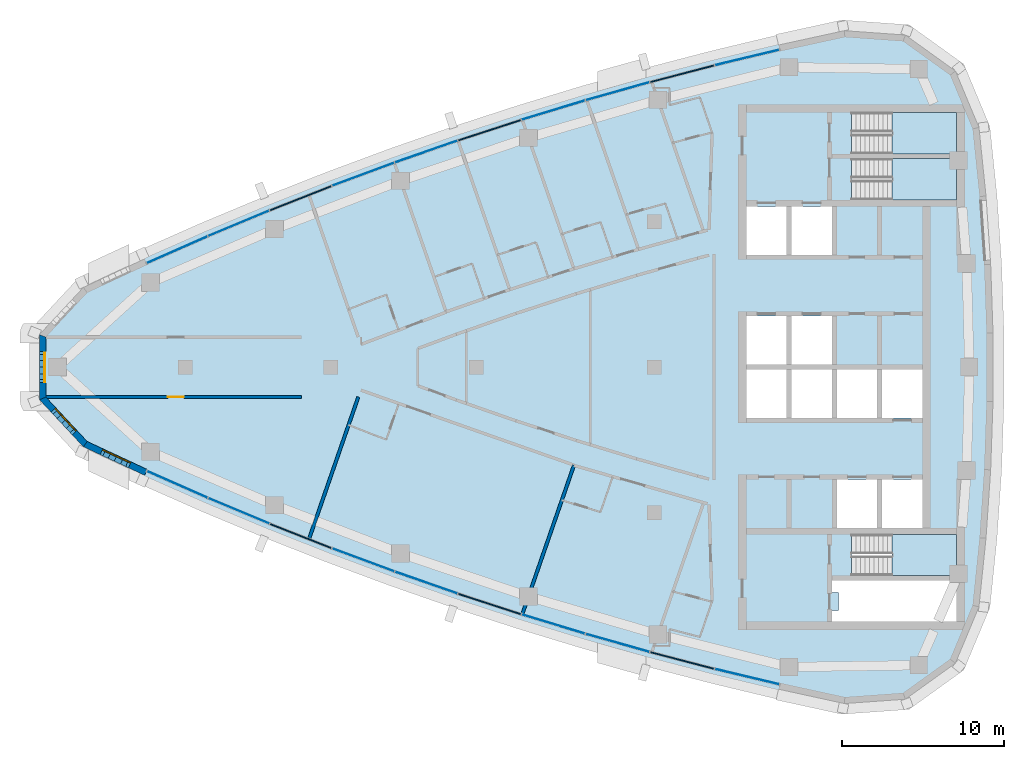
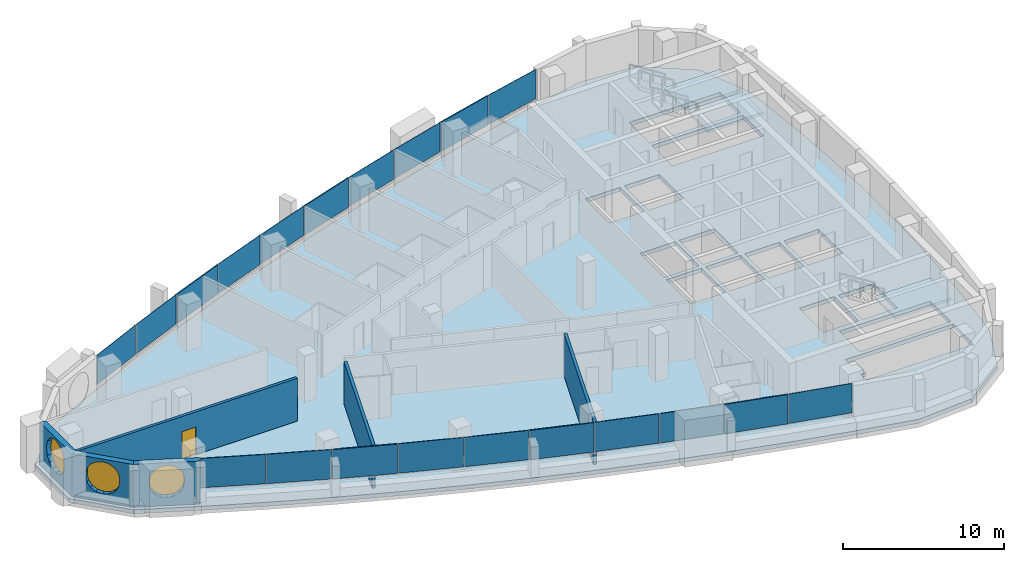
# One storey, part 6 of 14: 20 plates, 6 walls, 4 slabs, 3 windows, 1 door, 5 openings, 13 elements without a shape of their own.
"""IFC4 building model written with IfcOpenShell, lengths in metres."""

import ifcopenshell
import ifcopenshell.guid

model = None  # the IFC model being written
_history = None  # IfcOwnerHistory: only IFC2X3 demands one
_inside = {}  # id of a spatial element -> (the spatial element, [elements in it])
_under = {}  # id of a project, library or spatial element -> (it, [spatial elements below it])
_declared = {}  # id of a project -> (the project, [libraries it declares])
_typed = {}  # id of a type object -> (the type object, [elements of that type])
_made_of = {}  # id of a material, layer set ... -> (it, [elements and type objects made of it])


def new_model(schema):
    """Start an empty IFC model of exactly this schema.

    Asked for "IFC4X3", IfcOpenShell would pick the latest addendum, in which some entities
    have other attributes; the version numbers below select the first issue.
    IFC2X3 requires an IfcOwnerHistory on every rooted entity: one is made here for all.
    """
    global model, _history
    if schema == "IFC4X3":
        model = ifcopenshell.file(schema_version=(4, 3, 0, 0))
    else:
        model = ifcopenshell.file(schema=schema)
    _inside.clear()
    _under.clear()
    _declared.clear()
    _typed.clear()
    _made_of.clear()
    _history = None
    if model.schema == "IFC2X3":
        org = make("IfcOrganization", Name="unknown")
        user = make(
            "IfcPersonAndOrganization",
            ThePerson=make("IfcPerson", FamilyName="unknown"),
            TheOrganization=org,
        )
        app = make(
            "IfcApplication",
            ApplicationDeveloper=org,
            Version="unknown",
            ApplicationFullName="unknown",
            ApplicationIdentifier="unknown",
        )
        _history = make(
            "IfcOwnerHistory",
            OwningUser=user,
            OwningApplication=app,
            ChangeAction="ADDED",
            CreationDate=0,
        )
    return model


def make(cls, **values):
    """One entity of the class cls with the attributes given. An attribute that is None is left unset."""
    return model.create_entity(
        cls, **{name: value for name, value in values.items() if value is not None}
    )


def rooted(cls, **values):
    """An entity with a GlobalId (a new one), such as an element, a storey or a relation."""
    return make(cls, GlobalId=ifcopenshell.guid.new(), OwnerHistory=_history, **values)


def si_unit(unit_type, name, prefix=None):
    """IfcSIUnit, for example si_unit("LENGTHUNIT", "METRE", prefix="MILLI")."""
    return make("IfcSIUnit", UnitType=unit_type, Prefix=prefix, Name=name)


def assignment(units):
    """IfcUnitAssignment: the units of a project."""
    return None if units is None else make("IfcUnitAssignment", Units=units)


def point(xyz):
    """IfcCartesianPoint."""
    return None if xyz is None else make("IfcCartesianPoint", Coordinates=xyz)


def direction(xyz):
    """IfcDirection."""
    return None if xyz is None else make("IfcDirection", DirectionRatios=xyz)


def frame(location, z_axis=None, x_axis=None):
    """IfcAxis2Placement3D, a coordinate frame: its origin and axes. An axis left out is left unset."""
    return make(
        "IfcAxis2Placement3D",
        Location=point(location),
        Axis=direction(z_axis),
        RefDirection=direction(x_axis),
    )


def frame_2d(location, x_axis=None):
    """IfcAxis2Placement2D, a coordinate frame in the plane: its origin and x axis."""
    return make(
        "IfcAxis2Placement2D", Location=point(location), RefDirection=direction(x_axis)
    )


def origin():
    """The frame at (0, 0, 0) with its axes left unset."""
    return frame((0.0, 0.0, 0.0))


def origin_2d():
    """The frame at (0, 0) in the plane with its x axis left unset."""
    return frame_2d((0.0, 0.0))


def place(relative_to, where):
    """IfcLocalPlacement: puts the frame where relative to a parent placement (None: the world)."""
    return make(
        "IfcLocalPlacement", PlacementRelTo=relative_to, RelativePlacement=where
    )


def context(
    kind, dimensions, precision=None, world=None, true_north=None, identifier=None
):
    """IfcGeometricRepresentationContext, for example the 3D "Model" context."""
    return make(
        "IfcGeometricRepresentationContext",
        ContextIdentifier=identifier,
        ContextType=kind,
        CoordinateSpaceDimension=dimensions,
        Precision=precision,
        WorldCoordinateSystem=world,
        TrueNorth=true_north,
    )


def subcontext(parent, identifier, kind, view, scale=None):
    """IfcGeometricRepresentationSubContext, for example "Body" below "Model"."""
    return make(
        "IfcGeometricRepresentationSubContext",
        ContextIdentifier=identifier,
        ContextType=kind,
        ParentContext=parent,
        TargetScale=scale,
        TargetView=view,
    )


def project(units=None, contexts=None):
    """IfcProject with its units and contexts."""
    return rooted(
        "IfcProject",
        Name="project",
        RepresentationContexts=contexts,
        UnitsInContext=assignment(units),
    )


def spatial(cls, under=None, at=None, **own):
    """A site, building, storey or space (cls), placed at a placement, below another one or the project."""
    s = rooted(cls, ObjectPlacement=at, **own)
    if under is not None:
        _under.setdefault(under.id(), (under, []))[1].append(s)
    return s


def polyline(points):
    """IfcPolyline through the points."""
    return make("IfcPolyline", Points=[point(p) for p in points])


def profile(cls, at=None, kind="AREA", **sizes):
    """A parametric profile (cls). Its sizes go by their IFC names, for example OverallWidth=200.0."""
    return make(cls, ProfileType=kind, Position=at, **sizes)


def rectangle(**sizes):
    """IfcRectangleProfileDef."""
    return profile("IfcRectangleProfileDef", **sizes)


def outline(outer, holes=None, kind="AREA"):
    """IfcArbitraryClosedProfileDef: a profile drawn as a closed curve; with holes, ...WithVoids."""
    if holes is None:
        return make("IfcArbitraryClosedProfileDef", ProfileType=kind, OuterCurve=outer)
    return make(
        "IfcArbitraryProfileDefWithVoids",
        ProfileType=kind,
        OuterCurve=outer,
        InnerCurves=holes,
    )


def extrude(swept, where, along, depth):
    """IfcExtrudedAreaSolid: the profile swept, set in the frame where, extruded along a direction by depth."""
    return make(
        "IfcExtrudedAreaSolid",
        SweptArea=swept,
        Position=where,
        ExtrudedDirection=direction(along),
        Depth=depth,
    )


def shape(context_of_items, identifier, shape_type, items):
    """IfcShapeRepresentation: the items that make up one representation, for example the "Body"."""
    return make(
        "IfcShapeRepresentation",
        ContextOfItems=context_of_items,
        RepresentationIdentifier=identifier,
        RepresentationType=shape_type,
        Items=items,
    )


def material(Name=None, Category=None):
    """IfcMaterial."""
    return make("IfcMaterial", Name=Name, Category=Category)


def layer(
    of_material, thickness, ventilated=None, Name=None, Category=None, Priority=None
):
    """IfcMaterialLayer: one layer of a wall or slab, of a material (None: an air gap)."""
    return make(
        "IfcMaterialLayer",
        Material=of_material,
        LayerThickness=thickness,
        IsVentilated=ventilated,
        Name=Name,
        Category=Category,
        Priority=Priority,
    )


def layer_set(layers, Name=None):
    """IfcMaterialLayerSet."""
    return make("IfcMaterialLayerSet", MaterialLayers=layers, LayerSetName=Name)


def made_of(thing, what):
    """Note that an element or type object is made of a material, layer set ...; save() writes the relation."""
    if what is not None:
        _made_of.setdefault(what.id(), (what, []))[1].append(thing)
    return thing


def type_object(cls, material=None, **own):
    """A type object (cls), such as IfcWallType, which elements share."""
    return made_of(rooted(cls, **own), material)


def element(
    cls,
    number,
    at=None,
    inside=None,
    cuts=None,
    type_object=None,
    material=None,
    context=None,
    identifier="Body",
    shape_type=None,
    held_by="IfcProductDefinitionShape",
    body=None,
    shapes=None,
    **own,
):
    """One element of the class cls, such as IfcWall. Its Tag is "e" and its number.

    at: its placement. inside: the storey or other place that contains it. cuts: it is an
    opening in that element (IfcRelVoidsElement). A single representation is given by context,
    identifier, shape_type and body (its items); several are given by shapes. held_by: the class
    of the entity that holds the representations. save() writes the other relations.
    """
    e = rooted(cls, Tag="e%d" % number, ObjectPlacement=at, **own)
    if body is not None:
        shapes = [shape(context, identifier, shape_type, body)]
    if shapes is not None:
        e.Representation = make(held_by, Representations=shapes)
    if inside is not None:
        _inside.setdefault(inside.id(), (inside, []))[1].append(e)
    if cuts is not None:
        rooted(
            "IfcRelVoidsElement", RelatingBuildingElement=cuts, RelatedOpeningElement=e
        )
    if type_object is not None:
        _typed.setdefault(type_object.id(), (type_object, []))[1].append(e)
    return made_of(e, material)


def fill(opening, filler):
    """IfcRelFillsElement: the door or window that sits in an opening."""
    return rooted(
        "IfcRelFillsElement",
        RelatingOpeningElement=opening,
        RelatedBuildingElement=filler,
    )


def aggregate(whole, parts):
    """IfcRelAggregates: a whole, such as a stair, and the parts it consists of."""
    return rooted("IfcRelAggregates", RelatingObject=whole, RelatedObjects=parts)


def save(model, path):
    """Write the relations noted so far, then the file.

    IfcRelAggregates (storeys below a building ...), IfcRelContainedInSpatialStructure (elements
    in a storey), IfcRelDefinesByType, IfcRelAssociatesMaterial and IfcRelDeclares: one each for
    every whole, place, type object, material and project.
    """
    for whole, parts in _under.values():
        aggregate(whole, parts)
    for where, things in _inside.values():
        rooted(
            "IfcRelContainedInSpatialStructure",
            RelatedElements=things,
            RelatingStructure=where,
        )
    for kind, things in _typed.values():
        rooted("IfcRelDefinesByType", RelatedObjects=things, RelatingType=kind)
    for what, things in _made_of.values():
        rooted("IfcRelAssociatesMaterial", RelatedObjects=things, RelatingMaterial=what)
    for by, libraries in _declared.values():
        rooted("IfcRelDeclares", RelatingContext=by, RelatedDefinitions=libraries)
    model.write(path)


model = new_model("IFC4")

# Units and contexts
model_context = context("Model", 3, precision=1e-05, world=origin(), true_north=direction((0.0, 1.0)))
body_context = subcontext(model_context, "Body", "Model", "MODEL_VIEW")
ifc_project = project(units=[si_unit("LENGTHUNIT", "METRE"), si_unit("AREAUNIT", "SQUARE_METRE"), si_unit("VOLUMEUNIT", "CUBIC_METRE"), si_unit("PLANEANGLEUNIT", "RADIAN"), si_unit("MASSUNIT", "GRAM", prefix="KILO")], contexts=[model_context])

# Site, building, storey
site_placement = place(None, origin())
site = spatial("IfcSite", under=ifc_project, at=site_placement, CompositionType="ELEMENT")
building_placement = place(site_placement, origin())
building = spatial("IfcBuilding", under=site, at=building_placement, Name="Ostrand Prow Hotel Tower", CompositionType="ELEMENT")
storey_placement = place(building_placement, frame((0.0, 0.0, 285.64990234375)))
storey = spatial("IfcBuildingStorey", under=building, at=storey_placement, Name="L72", CompositionType="ELEMENT", Elevation=285.64990234375)

# Curtain wall, plates
ifc_material_1 = material(Name="Insulated glass in bronze anodised frame", Category="glass")
ifc_layer_1 = layer(ifc_material_1, 0.199951171875)
ifc_layer_set_1 = layer_set([ifc_layer_1], Name="Insulated glass in bronze anodised frame")
curtain_wall_type = type_object("IfcCurtainWallType", Name="Strip curtain wall, fritted glass over bronze spandrel", PredefinedType="NOTDEFINED", material=ifc_layer_set_1)
curtain_wall_1_placement = place(storey_placement, origin())
curtain_wall_1 = element("IfcCurtainWall", 1, at=curtain_wall_1_placement, inside=storey, type_object=curtain_wall_type, Name="CW1 run CWS1", PredefinedType="NOTDEFINED")
ifc_material_2 = material(Name="Ceramic-fritted glass", Category="glass")
ifc_layer_2 = layer(ifc_material_2, 0.031982421875)
ifc_layer_set_2 = layer_set([ifc_layer_2], Name="Ceramic-fritted glass")
plate_type_1 = type_object("IfcPlateType", Name="Dot-fritted ceramic glass unit 32 mm", PredefinedType="CURTAIN_PANEL", material=ifc_layer_set_2)
plate_1_placement = place(storey_placement, frame((15.493408203125, -7.259765625, 1.02001953125), z_axis=(0.0, 0.0, 1.0), x_axis=(0.914785615941, -0.403939694592, 0.0)))
plate_1 = element("IfcPlate", 2, at=plate_1_placement, type_object=plate_type_1, Name="CW1 PN-D panel 1.2", PredefinedType="CURTAIN_PANEL", context=body_context, shape_type="SweptSolid", body=[
    extrude(rectangle(XDim=4.079833984375, YDim=0.031982421875, at=origin_2d()), origin(), (0.0, 0.0, 1.0), 2.22998046875),
])
plate_2_placement = place(storey_placement, frame((19.297119140625, -8.893798828125, 1.02001953125), z_axis=(0.0, 0.0, 1.0), x_axis=(0.922719840955, -0.385471263659, 0.0)))
plate_2 = element("IfcPlate", 3, at=plate_2_placement, type_object=plate_type_1, Name="CW1 PN-D panel 2.2", PredefinedType="CURTAIN_PANEL", context=body_context, shape_type="SweptSolid", body=[
    extrude(rectangle(XDim=4.079833984375, YDim=0.031982421875, at=origin_2d()), origin(), (0.0, 0.0, 1.0), 2.22998046875),
])
aggregate(curtain_wall_1, [plate_1, plate_2])

# Curtain wall, plate
curtain_wall_2_placement = place(storey_placement, origin())
curtain_wall_2 = element("IfcCurtainWall", 4, at=curtain_wall_2_placement, inside=storey, type_object=curtain_wall_type, Name="CW1 run CWS2", PredefinedType="NOTDEFINED")
plate_3_placement = place(storey_placement, frame((26.99853515625, -11.930908203125, 1.02001953125), z_axis=(0.0, 0.0, 1.0), x_axis=(0.937468017947, -0.348071422738, 0.0)))
plate_3 = element("IfcPlate", 5, at=plate_3_placement, type_object=plate_type_1, Name="CW1 PN-D panel 2.2", PredefinedType="CURTAIN_PANEL", context=body_context, shape_type="SweptSolid", body=[
    extrude(rectangle(XDim=4.079833984375, YDim=0.031982421875, at=origin_2d()), origin(), (0.0, 0.0, 1.0), 2.22998046875),
])

curtain_wall_3_placement = place(storey_placement, origin())
curtain_wall_3 = element("IfcCurtainWall", 6, at=curtain_wall_3_placement, inside=storey, type_object=curtain_wall_type, Name="CW1 run CWS3", PredefinedType="NOTDEFINED")
plate_4_placement = place(storey_placement, frame((30.8935546875, -13.33251953125, 1.02001953125), z_axis=(0.0, 0.0, 1.0), x_axis=(0.944274730614, -0.329158370885, 0.0)))
plate_4 = element("IfcPlate", 7, at=plate_4_placement, type_object=plate_type_1, Name="CW1 PN-D panel 1.2", PredefinedType="CURTAIN_PANEL", context=body_context, shape_type="SweptSolid", body=[
    extrude(rectangle(XDim=4.079833984375, YDim=0.031982421875, at=origin_2d()), origin(), (0.0, 0.0, 1.0), 2.22998046875),
])

# Curtain wall, plates
curtain_wall_4_placement = place(storey_placement, origin())
curtain_wall_4 = element("IfcCurtainWall", 8, at=curtain_wall_4_placement, inside=storey, type_object=curtain_wall_type, Name="CW1 run CWS4", PredefinedType="NOTDEFINED")
plate_5_placement = place(storey_placement, frame((38.76416015625, -15.89990234375, 1.02001953125), z_axis=(0.0, 0.0, 1.0), x_axis=(0.956742015769, -0.290937648411, 0.0)))
plate_5 = element("IfcPlate", 9, at=plate_5_placement, type_object=plate_type_1, Name="CW1 PN-D panel 1.2", PredefinedType="CURTAIN_PANEL", context=body_context, shape_type="SweptSolid", body=[
    extrude(rectangle(XDim=4.079833984375, YDim=0.031982421875, at=origin_2d()), origin(), (0.0, 0.0, 1.0), 2.22998046875),
])
plate_6_placement = place(storey_placement, frame((42.736572265625, -17.064453125, 1.02001953125), z_axis=(0.0, 0.0, 1.0), x_axis=(0.962396468548, -0.271648738865, 0.0)))
plate_6 = element("IfcPlate", 10, at=plate_6_placement, type_object=plate_type_1, Name="CW1 PN-D panel 2.2", PredefinedType="CURTAIN_PANEL", context=body_context, shape_type="SweptSolid", body=[
    extrude(rectangle(XDim=4.079833984375, YDim=0.031982421875, at=origin_2d()), origin(), (0.0, 0.0, 1.0), 2.22998046875),
])
aggregate(curtain_wall_4, [plate_5, plate_6])

# Curtain wall, plate
curtain_wall_5_placement = place(storey_placement, origin())
curtain_wall_5 = element("IfcCurtainWall", 11, at=curtain_wall_5_placement, inside=storey, type_object=curtain_wall_type, Name="CW1 run CWS5", PredefinedType="NOTDEFINED")
plate_7_placement = place(storey_placement, frame((50.74755859375, -19.152587890625, 1.02001953125), z_axis=(0.0, 0.0, 1.0), x_axis=(0.972537533869, -0.232746096028, 0.0)))
plate_7 = element("IfcPlate", 12, at=plate_7_placement, type_object=plate_type_1, Name="CW1 PN-D panel 2.2", PredefinedType="CURTAIN_PANEL", context=body_context, shape_type="SweptSolid", body=[
    extrude(rectangle(XDim=4.079833984375, YDim=0.031982421875, at=origin_2d()), origin(), (0.0, 0.0, 1.0), 2.22998046875),
])

curtain_wall_6_placement = place(storey_placement, origin())
curtain_wall_6 = element("IfcCurtainWall", 13, at=curtain_wall_6_placement, inside=storey, type_object=curtain_wall_type, Name="CW1 run CWN1", PredefinedType="NOTDEFINED")
plate_8_placement = place(storey_placement, frame((50.74755859375, 19.152587890625, 1.02001953125), z_axis=(0.0, 0.0, 1.0), x_axis=(-0.972537533869, -0.232746096028, 0.0)))
plate_8 = element("IfcPlate", 14, at=plate_8_placement, type_object=plate_type_1, Name="CW1 PN-D panel 1.2", PredefinedType="CURTAIN_PANEL", context=body_context, shape_type="SweptSolid", body=[
    extrude(rectangle(XDim=4.079833984375, YDim=0.031982421875, at=origin_2d()), origin(), (0.0, 0.0, 1.0), 2.22998046875),
])

# Curtain wall, plates
curtain_wall_7_placement = place(storey_placement, origin())
curtain_wall_7 = element("IfcCurtainWall", 15, at=curtain_wall_7_placement, inside=storey, type_object=curtain_wall_type, Name="CW1 run CWN2", PredefinedType="NOTDEFINED")
plate_9_placement = place(storey_placement, frame((42.736572265625, 17.064453125, 1.02001953125), z_axis=(0.0, 0.0, 1.0), x_axis=(-0.962396468548, -0.271648738865, 0.0)))
plate_9 = element("IfcPlate", 16, at=plate_9_placement, type_object=plate_type_1, Name="CW1 PN-D panel 1.2", PredefinedType="CURTAIN_PANEL", context=body_context, shape_type="SweptSolid", body=[
    extrude(rectangle(XDim=4.079833984375, YDim=0.031982421875, at=origin_2d()), origin(), (0.0, 0.0, 1.0), 2.22998046875),
])
plate_10_placement = place(storey_placement, frame((38.76416015625, 15.89990234375, 1.02001953125), z_axis=(0.0, 0.0, 1.0), x_axis=(-0.956742015769, -0.290937648411, 0.0)))
plate_10 = element("IfcPlate", 17, at=plate_10_placement, type_object=plate_type_1, Name="CW1 PN-D panel 2.2", PredefinedType="CURTAIN_PANEL", context=body_context, shape_type="SweptSolid", body=[
    extrude(rectangle(XDim=4.079833984375, YDim=0.031982421875, at=origin_2d()), origin(), (0.0, 0.0, 1.0), 2.22998046875),
])
aggregate(curtain_wall_7, [plate_9, plate_10])

# Curtain wall, plate
curtain_wall_8_placement = place(storey_placement, origin())
curtain_wall_8 = element("IfcCurtainWall", 18, at=curtain_wall_8_placement, inside=storey, type_object=curtain_wall_type, Name="CW1 run CWN3", PredefinedType="NOTDEFINED")
plate_11_placement = place(storey_placement, frame((30.8935546875, 13.33251953125, 1.02001953125), z_axis=(0.0, 0.0, 1.0), x_axis=(-0.944274730614, -0.329158370885, 0.0)))
plate_11 = element("IfcPlate", 19, at=plate_11_placement, type_object=plate_type_1, Name="CW1 PN-D panel 2.2", PredefinedType="CURTAIN_PANEL", context=body_context, shape_type="SweptSolid", body=[
    extrude(rectangle(XDim=4.079833984375, YDim=0.031982421875, at=origin_2d()), origin(), (0.0, 0.0, 1.0), 2.22998046875),
])

curtain_wall_9_placement = place(storey_placement, origin())
curtain_wall_9 = element("IfcCurtainWall", 20, at=curtain_wall_9_placement, inside=storey, type_object=curtain_wall_type, Name="CW1 run CWN4", PredefinedType="NOTDEFINED")
plate_12_placement = place(storey_placement, frame((26.99853515625, 11.930908203125, 1.02001953125), z_axis=(0.0, 0.0, 1.0), x_axis=(-0.937468017947, -0.348071422738, 0.0)))
plate_12 = element("IfcPlate", 21, at=plate_12_placement, type_object=plate_type_1, Name="CW1 PN-D panel 1.2", PredefinedType="CURTAIN_PANEL", context=body_context, shape_type="SweptSolid", body=[
    extrude(rectangle(XDim=4.079833984375, YDim=0.031982421875, at=origin_2d()), origin(), (0.0, 0.0, 1.0), 2.22998046875),
])

# Curtain wall, plates
curtain_wall_10_placement = place(storey_placement, origin())
curtain_wall_10 = element("IfcCurtainWall", 22, at=curtain_wall_10_placement, inside=storey, type_object=curtain_wall_type, Name="CW1 run CWN5", PredefinedType="NOTDEFINED")
plate_13_placement = place(storey_placement, frame((19.297119140625, 8.893798828125, 1.02001953125), z_axis=(0.0, 0.0, 1.0), x_axis=(-0.922719840955, -0.385471263659, 0.0)))
plate_13 = element("IfcPlate", 23, at=plate_13_placement, type_object=plate_type_1, Name="CW1 PN-D panel 1.2", PredefinedType="CURTAIN_PANEL", context=body_context, shape_type="SweptSolid", body=[
    extrude(rectangle(XDim=4.079833984375, YDim=0.031982421875, at=origin_2d()), origin(), (0.0, 0.0, 1.0), 2.22998046875),
])
plate_14_placement = place(storey_placement, frame((15.493408203125, 7.259765625, 1.02001953125), z_axis=(0.0, 0.0, 1.0), x_axis=(-0.914785615941, -0.403939694592, 0.0)))
plate_14 = element("IfcPlate", 24, at=plate_14_placement, type_object=plate_type_1, Name="CW1 PN-D panel 2.2", PredefinedType="CURTAIN_PANEL", context=body_context, shape_type="SweptSolid", body=[
    extrude(rectangle(XDim=4.079833984375, YDim=0.031982421875, at=origin_2d()), origin(), (0.0, 0.0, 1.0), 2.22998046875),
])
aggregate(curtain_wall_10, [plate_13, plate_14])

# Plate
ifc_material_3 = material(Name="Fritted glass in bronze vent frame", Category="glass")
ifc_layer_3 = layer(ifc_material_3, 0.080078125)
ifc_layer_set_3 = layer_set([ifc_layer_3], Name="Fritted glass in bronze vent frame")
plate_type_2 = type_object("IfcPlateType", Name="Operable vent panel 80 mm", PredefinedType="CURTAIN_PANEL", material=ifc_layer_set_3)
plate_15_placement = place(storey_placement, frame((23.132568359375, -10.450927734375, 1.02001953125), z_axis=(0.0, 0.0, 1.0), x_axis=(0.930281895249, -0.366845465248, 0.0)))
plate_15 = element("IfcPlate", 25, at=plate_15_placement, type_object=plate_type_2, Name="CW1 PN-O2 panel 1.2", PredefinedType="CURTAIN_PANEL", context=body_context, shape_type="SweptSolid", body=[
    extrude(rectangle(XDim=4.079833984375, YDim=0.080078125, at=origin_2d()), origin(), (0.0, 0.0, 1.0), 2.22998046875),
])

aggregate(curtain_wall_2, [plate_15, plate_3])

plate_16_placement = place(storey_placement, frame((34.81591796875, -14.65576171875, 1.02001953125), z_axis=(0.0, 0.0, 1.0), x_axis=(0.950700464612, -0.310110668289, 0.0)))
plate_16 = element("IfcPlate", 26, at=plate_16_placement, type_object=plate_type_2, Name="CW1 PN-O2 panel 2.2", PredefinedType="CURTAIN_PANEL", context=body_context, shape_type="SweptSolid", body=[
    extrude(rectangle(XDim=4.079833984375, YDim=0.080078125, at=origin_2d()), origin(), (0.0, 0.0, 1.0), 2.22998046875),
])

aggregate(curtain_wall_3, [plate_4, plate_16])

plate_17_placement = place(storey_placement, frame((46.731689453125, -18.148681640625, 1.02001953125), z_axis=(0.0, 0.0, 1.0), x_axis=(0.967662519855, -0.252248384867, 0.0)))
plate_17 = element("IfcPlate", 27, at=plate_17_placement, type_object=plate_type_2, Name="CW1 PN-O2 panel 1.2", PredefinedType="CURTAIN_PANEL", context=body_context, shape_type="SweptSolid", body=[
    extrude(rectangle(XDim=4.079833984375, YDim=0.080078125, at=origin_2d()), origin(), (0.0, 0.0, 1.0), 2.22998046875),
])

aggregate(curtain_wall_5, [plate_17, plate_7])

plate_18_placement = place(storey_placement, frame((46.731689453125, 18.148681640625, 1.02001953125), z_axis=(0.0, 0.0, 1.0), x_axis=(-0.967662519855, -0.252248384867, 0.0)))
plate_18 = element("IfcPlate", 28, at=plate_18_placement, type_object=plate_type_2, Name="CW1 PN-O2 panel 2.2", PredefinedType="CURTAIN_PANEL", context=body_context, shape_type="SweptSolid", body=[
    extrude(rectangle(XDim=4.079833984375, YDim=0.080078125, at=origin_2d()), origin(), (0.0, 0.0, 1.0), 2.22998046875),
])

aggregate(curtain_wall_6, [plate_8, plate_18])

plate_19_placement = place(storey_placement, frame((34.81591796875, 14.65576171875, 1.02001953125), z_axis=(0.0, 0.0, 1.0), x_axis=(-0.950700464612, -0.310110668289, 0.0)))
plate_19 = element("IfcPlate", 29, at=plate_19_placement, type_object=plate_type_2, Name="CW1 PN-O2 panel 1.2", PredefinedType="CURTAIN_PANEL", context=body_context, shape_type="SweptSolid", body=[
    extrude(rectangle(XDim=4.079833984375, YDim=0.080078125, at=origin_2d()), origin(), (0.0, 0.0, 1.0), 2.22998046875),
])

aggregate(curtain_wall_8, [plate_19, plate_11])

plate_20_placement = place(storey_placement, frame((23.132568359375, 10.450927734375, 1.02001953125), z_axis=(0.0, 0.0, 1.0), x_axis=(-0.930281895249, -0.366845465248, 0.0)))
plate_20 = element("IfcPlate", 30, at=plate_20_placement, type_object=plate_type_2, Name="CW1 PN-O2 panel 2.2", PredefinedType="CURTAIN_PANEL", context=body_context, shape_type="SweptSolid", body=[
    extrude(rectangle(XDim=4.079833984375, YDim=0.080078125, at=origin_2d()), origin(), (0.0, 0.0, 1.0), 2.22998046875),
])

aggregate(curtain_wall_9, [plate_12, plate_20])

# Slab, opening
ifc_material_4 = material(Name="Concrete C40/50", Category="concrete")
ifc_layer_4 = layer(ifc_material_4, 0.300048828125)
ifc_layer_set_4 = layer_set([ifc_layer_4], Name="Concrete C40/50")
slab_type_1 = type_object("IfcSlabType", Name="PT flat plate 300 C40/50", PredefinedType="FLOOR", material=ifc_layer_set_4)
slab_1_placement = place(storey_placement, frame((0.0, 0.0, -0.2998046875)))
slab_1 = element("IfcSlab", 31, at=slab_1_placement, inside=storey, type_object=slab_type_1, Name="Floor slab L72-1", PredefinedType="FLOOR", context=body_context, shape_type="SweptSolid", body=[
    extrude(outline(polyline([(9.560791015625, 5.168212890625), (13.365478515625, 6.9404296875), (17.1630859375, 8.6171875), (20.993408203125, 10.21728515625), (24.855224609375, 11.740234375), (28.746826171875, 13.185302734375), (32.666748046875, 14.551513671875), (36.61328125, 15.8388671875), (40.5849609375, 17.046630859375), (44.580078125, 18.17431640625), (48.596923828125, 19.221435546875), (52.634033203125, 20.187744140625), (56.72265625, 21.07958984375), (60.634765625, 20.80029296875), (63.84765625, 18.49072265625), (65.35888671875, 14.87060546875), (65.796875, 10.611083984375), (66.0869140625, 6.37158203125), (66.23193359375, 2.124755859375), (66.23193359375, -2.124755859375), (66.0869140625, -6.37158203125), (65.796875, -10.611083984375), (65.35888671875, -14.87060546875), (63.84765625, -18.49072265625), (60.634765625, -20.80029296875), (56.72265625, -21.07958984375), (52.634033203125, -20.187744140625), (48.596923828125, -19.221435546875), (44.580078125, -18.17431640625), (40.5849609375, -17.046630859375), (36.61328125, -15.8388671875), (32.666748046875, -14.551513671875), (28.746826171875, -13.185302734375), (24.855224609375, -11.740234375), (20.993408203125, -10.21728515625), (17.1630859375, -8.6171875), (13.365478515625, -6.9404296875), (9.560791015625, -5.168212890625), (6.71484375, -2.112548828125), (6.71484375, 2.112548828125), (9.560791015625, 5.168212890625)]), holes=[polyline([(50.699951171875, 6.949951171875), (53.199951171875, 6.949951171875), (53.199951171875, 9.949951171875), (50.699951171875, 9.949951171875), (50.699951171875, 6.949951171875)]), polyline([(53.5, 6.949951171875), (56.0, 6.949951171875), (56.0, 9.949951171875), (53.5, 9.949951171875), (53.5, 6.949951171875)]), polyline([(50.699951171875, 0.14990234375), (53.199951171875, 0.14990234375), (53.199951171875, 3.14990234375), (50.699951171875, 3.14990234375), (50.699951171875, 0.14990234375)]), polyline([(53.5, 0.14990234375), (56.0, 0.14990234375), (56.0, 3.14990234375), (53.5, 3.14990234375), (53.5, 0.14990234375)]), polyline([(50.699951171875, -3.14990234375), (53.199951171875, -3.14990234375), (53.199951171875, -0.14990234375), (50.699951171875, -0.14990234375), (50.699951171875, -3.14990234375)]), polyline([(53.5, -3.14990234375), (56.0, -3.14990234375), (56.0, -0.14990234375), (53.5, -0.14990234375), (53.5, -3.14990234375)]), polyline([(56.300048828125, -3.14990234375), (58.800048828125, -3.14990234375), (58.800048828125, -0.14990234375), (56.300048828125, -0.14990234375), (56.300048828125, -3.14990234375)]), polyline([(59.10009765625, -3.14990234375), (61.60009765625, -3.14990234375), (61.60009765625, -0.14990234375), (59.10009765625, -0.14990234375), (59.10009765625, -3.14990234375)]), polyline([(56.300048828125, -9.949951171875), (58.800048828125, -9.949951171875), (58.800048828125, -6.949951171875), (56.300048828125, -6.949951171875), (56.300048828125, -9.949951171875)]), polyline([(59.10009765625, -9.949951171875), (61.60009765625, -9.949951171875), (61.60009765625, -6.949951171875), (59.10009765625, -6.949951171875), (59.10009765625, -9.949951171875)]), polyline([(57.200927734375, 10.35107421875), (57.200927734375, 12.89892578125), (63.718994140625, 12.89892578125), (63.718994140625, 10.35107421875), (57.200927734375, 10.35107421875)]), polyline([(57.200927734375, 13.200927734375), (57.200927734375, 15.7490234375), (63.718994140625, 15.7490234375), (63.718994140625, 13.200927734375), (57.200927734375, 13.200927734375)]), polyline([(57.200927734375, -12.89892578125), (57.200927734375, -10.35107421875), (63.718994140625, -10.35107421875), (63.718994140625, -12.89892578125), (57.200927734375, -12.89892578125)]), polyline([(56.0, -13.949951171875), (56.0, -13.199951171875), (63.719970703125, -13.199951171875), (63.719970703125, -15.75), (56.0, -15.75), (56.0, -15.050048828125), (56.39990234375, -15.050048828125), (56.39990234375, -13.949951171875), (56.0, -13.949951171875)])]), origin(), (0.0, 0.0, 1.0), 0.2998046875),
])
opening_1_placement = place(slab_1_placement, origin())
element("IfcOpeningElement", 32, at=opening_1_placement, cuts=slab_1, Name="Shaft opening 1", PredefinedType="OPENING", context=body_context, shape_type="SweptSolid", body=[
    extrude(outline(polyline([(56.0, -13.949951171875), (56.0, -13.199951171875), (63.719970703125, -13.199951171875), (63.719970703125, -15.75), (56.0, -15.75), (56.0, -15.050048828125), (56.39990234375, -15.050048828125), (56.39990234375, -13.949951171875), (56.0, -13.949951171875)])), origin(), (0.0, 0.0, 1.0), 0.2998046875),
])

# Stair, slab
ifc_material_5 = material(Name="Concrete C40/50", Category="concrete")
stair_type = type_object("IfcStairType", Name="Exit stair 1200 upper zone", PredefinedType="HALF_TURN_STAIR", material=ifc_material_5)
stair_1_placement = place(storey_placement, origin())
stair_1 = element("IfcStair", 33, at=stair_1_placement, inside=storey, type_object=stair_type, Name="L72 ST1C", PredefinedType="HALF_TURN_STAIR")
ifc_material_6 = material(Name="Concrete C40/50", Category="concrete")
ifc_layer_5 = layer(ifc_material_6, 0.199951171875)
ifc_layer_set_5 = layer_set([ifc_layer_5], Name="Concrete C40/50")
slab_type_2 = type_object("IfcSlabType", Name="Stair landing 200 concrete", PredefinedType="LANDING", material=ifc_layer_set_5)
slab_2_placement = place(storey_placement, frame((0.0, 0.0, 1.5751953125)))
slab_2 = element("IfcSlab", 34, at=slab_2_placement, type_object=slab_type_2, Name="ST1C landing 1", PredefinedType="LANDING", context=body_context, shape_type="SweptSolid", body=[
    extrude(outline(polyline([(59.719970703125, 10.35009765625), (63.719970703125, 10.35009765625), (63.719970703125, 12.89990234375), (59.719970703125, 12.89990234375), (59.719970703125, 10.35009765625)])), origin(), (0.0, 0.0, 1.0), 0.199951171875),
])
aggregate(stair_1, [slab_2])

stair_2_placement = place(storey_placement, origin())
stair_2 = element("IfcStair", 35, at=stair_2_placement, inside=storey, type_object=stair_type, Name="L72 ST3C", PredefinedType="HALF_TURN_STAIR")
slab_3_placement = place(storey_placement, frame((0.0, 0.0, 1.5751953125)))
slab_3 = element("IfcSlab", 36, at=slab_3_placement, type_object=slab_type_2, Name="ST3C landing 1", PredefinedType="LANDING", context=body_context, shape_type="SweptSolid", body=[
    extrude(outline(polyline([(59.719970703125, 13.199951171875), (63.719970703125, 13.199951171875), (63.719970703125, 15.75), (59.719970703125, 15.75), (59.719970703125, 13.199951171875)])), origin(), (0.0, 0.0, 1.0), 0.199951171875),
])
aggregate(stair_2, [slab_3])

stair_3_placement = place(storey_placement, origin())
stair_3 = element("IfcStair", 37, at=stair_3_placement, inside=storey, type_object=stair_type, Name="L72 ST2C", PredefinedType="HALF_TURN_STAIR")
slab_4_placement = place(storey_placement, frame((0.0, 0.0, 1.5751953125)))
slab_4 = element("IfcSlab", 38, at=slab_4_placement, type_object=slab_type_2, Name="ST2C landing 1", PredefinedType="LANDING", context=body_context, shape_type="SweptSolid", body=[
    extrude(outline(polyline([(59.719970703125, -12.89990234375), (63.719970703125, -12.89990234375), (63.719970703125, -10.35009765625), (59.719970703125, -10.35009765625), (59.719970703125, -12.89990234375)])), origin(), (0.0, 0.0, 1.0), 0.199951171875),
])
aggregate(stair_3, [slab_4])

# Wall, opening, door
ifc_material_7 = material(Name="Plasterboard partition")
ifc_layer_6 = layer(ifc_material_7, 0.199951171875)
ifc_layer_set_6 = layer_set([ifc_layer_6], Name="Plasterboard partition")
wall_type_1 = type_object("IfcWallType", Name="Partition 200 corridor wall", PredefinedType="PARTITIONING", material=ifc_layer_set_6)
wall_1_placement = place(storey_placement, frame((7.287109375, -1.85009765625, 0.0), z_axis=(0.0, 0.0, 1.0), x_axis=(1.0, 0.0, 0.0)))
wall_1 = element("IfcWall", 39, at=wall_1_placement, inside=storey, type_object=wall_type_1, Name="CORRIDOR WALL", PredefinedType="PARTITIONING", context=body_context, shape_type="SweptSolid", body=[
    extrude(rectangle(XDim=15.898681640625, YDim=0.199951171875, at=frame_2d((7.94921875, 0.0))), origin(), (0.0, 0.0, 1.0), 3.25),
])
opening_2_placement = place(wall_1_placement, frame((7.6240234375, 0.0, 0.0)))
opening_2 = element("IfcOpeningElement", 40, at=opening_2_placement, cuts=wall_1, Name="Opening D1R", PredefinedType="OPENING", context=body_context, shape_type="SweptSolid", body=[
    extrude(rectangle(XDim=1.0, YDim=2.10009765625, at=frame_2d((0.5, 1.050048828125))), frame((0.0, 0.10986328125, 0.0), z_axis=(0.0, -1.0, 0.0), x_axis=(1.0, 0.0, 0.0)), (0.0, 0.0, 1.0), 0.219970703125),
])
ifc_material_8 = material(Name="Timber door leaf", Category="wood")
door_type = type_object("IfcDoorType", Name="Guest room door 1000 right", OperationType="SINGLE_SWING_RIGHT", PredefinedType="DOOR", material=ifc_material_8)
door_placement = place(opening_2_placement, origin())
door = element("IfcDoor", 41, at=door_placement, inside=storey, type_object=door_type, Name="DOOR", OperationType="SINGLE_SWING_RIGHT", OverallHeight=2.10009765625, OverallWidth=1.0, PredefinedType="DOOR", context=body_context, shape_type="SweptSolid", body=[
    extrude(rectangle(XDim=1.0, YDim=2.10009765625, at=frame_2d((0.5, 1.050048828125))), frame((0.0, 0.02490234375, 0.0), z_axis=(0.0, -1.0, 0.0), x_axis=(1.0, 0.0, 0.0)), (0.0, 0.0, 1.0), 0.050048828125),
])
fill(opening_2, door)

# Walls
ifc_material_9 = material(Name="Plasterboard partition")
ifc_layer_7 = layer(ifc_material_9, 0.199951171875)
ifc_layer_set_7 = layer_set([ifc_layer_7], Name="Plasterboard partition")
wall_type_2 = type_object("IfcWallType", Name="Partition 200 key partition", PredefinedType="PARTITIONING", material=ifc_layer_set_7)
wall_2_placement = place(storey_placement, frame((23.66845703125, -10.573486328125, 0.0), z_axis=(0.0, 0.0, 1.0), x_axis=(0.327714422317, 0.944776829418, 0.0)))
element("IfcWall", 42, at=wall_2_placement, inside=storey, type_object=wall_type_2, Name="KEY PARTITION", PredefinedType="PARTITIONING", context=body_context, shape_type="SweptSolid", body=[
    extrude(rectangle(XDim=9.2333984375, YDim=0.199951171875, at=frame_2d((4.61669921875, 0.0))), origin(), (0.0, 0.0, 1.0), 3.25),
])
wall_3_placement = place(storey_placement, frame((36.86083984375, -15.23486328125, 0.0), z_axis=(0.0, 0.0, 1.0), x_axis=(0.327710853631, 0.944778067279, 0.0)))
element("IfcWall", 43, at=wall_3_placement, inside=storey, type_object=wall_type_2, Name="KEY PARTITION", PredefinedType="PARTITIONING", context=body_context, shape_type="SweptSolid", body=[
    extrude(rectangle(XDim=9.707275390625, YDim=0.199951171875, at=frame_2d((4.853515625, 0.0))), origin(), (0.0, 0.0, 1.0), 3.25),
])

# Wall, opening, window
ifc_material_10 = material(Name="Precast concrete C40/50", Category="concrete")
ifc_layer_8 = layer(ifc_material_10, 0.39990234375)
ifc_layer_set_8 = layer_set([ifc_layer_8], Name="Precast concrete C40/50")
wall_type_3 = type_object("IfcWallType", Name="Stone-faced precast wall 400 mm", PredefinedType="NOTDEFINED", material=ifc_layer_set_8)
wall_4_placement = place(storey_placement, frame((7.167236328125, 1.9345703125, 0.0), z_axis=(0.0, 0.0, 1.0), x_axis=(0.0, -1.0, 0.0)))
wall_4 = element("IfcWall", 44, at=wall_4_placement, inside=storey, type_object=wall_type_3, Name="Stone-faced wall prow 3", PredefinedType="NOTDEFINED", context=body_context, shape_type="SweptSolid", body=[
    extrude(outline(polyline([(-0.07861328125, -0.199951171875), (3.94775390625, -0.199951171875), (3.79052734375, 0.199951171875), (0.07861328125, 0.199951171875), (-0.07861328125, -0.199951171875)])), origin(), (0.0, 0.0, 1.0), 3.25),
])
opening_3_placement = place(wall_4_placement, frame((0.834716796875, 0.0, 0.60009765625)))
opening_3 = element("IfcOpeningElement", 45, at=opening_3_placement, cuts=wall_4, Name="Opening WP1", PredefinedType="OPENING", context=body_context, shape_type="SweptSolid", body=[
    extrude(outline(polyline([(0.0, 1.35009765625), (0.083740234375, 1.77099609375), (0.322265625, 2.127685546875), (0.678955078125, 2.3662109375), (1.10009765625, 2.449951171875), (1.52099609375, 2.3662109375), (1.877685546875, 2.127685546875), (2.1162109375, 1.77099609375), (2.199951171875, 1.35009765625), (2.199951171875, 1.10009765625), (2.1162109375, 0.678955078125), (1.877685546875, 0.322265625), (1.52099609375, 0.083740234375), (1.10009765625, 0.0), (0.678955078125, 0.083740234375), (0.322265625, 0.322265625), (0.083740234375, 0.678955078125), (0.0, 1.099853515625), (0.0, 1.35009765625)])), frame((0.0, 0.2099609375, 0.0), z_axis=(0.0, -1.0, 0.0), x_axis=(1.0, 0.0, 0.0)), (0.0, 0.0, 1.0), 0.419921875),
])
ifc_material_11 = material(Name="Insulated glass in bronze frame", Category="glass")
window_type = type_object("IfcWindowType", Name="Round-ended prow window 2200x2450", PartitioningType="SINGLE_PANEL", PredefinedType="WINDOW", material=ifc_material_11)
window_1_placement = place(opening_3_placement, origin())
window_1 = element("IfcWindow", 46, at=window_1_placement, inside=storey, type_object=window_type, Name="Window prow 3.1", OverallHeight=2.449951171875, OverallWidth=2.199951171875, PartitioningType="SINGLE_PANEL", PredefinedType="WINDOW", context=body_context, shape_type="SweptSolid", body=[
    extrude(outline(polyline([(0.0, 1.35009765625), (0.083740234375, 1.77099609375), (0.322265625, 2.127685546875), (0.678955078125, 2.3662109375), (1.10009765625, 2.449951171875), (1.52099609375, 2.3662109375), (1.877685546875, 2.127685546875), (2.1162109375, 1.77099609375), (2.199951171875, 1.35009765625), (2.199951171875, 1.10009765625), (2.1162109375, 0.678955078125), (1.877685546875, 0.322265625), (1.52099609375, 0.083740234375), (1.10009765625, 0.0), (0.678955078125, 0.083740234375), (0.322265625, 0.322265625), (0.083740234375, 0.678955078125), (0.0, 1.099853515625), (0.0, 1.35009765625)])), frame((0.0, 0.169921875, 0.0), z_axis=(0.0, -1.0, 0.0), x_axis=(1.0, 0.0, 0.0)), (0.0, 0.0, 1.0), 0.06005859375),
])
fill(opening_3, window_1)

wall_5_placement = place(storey_placement, frame((7.167236328125, -1.9345703125, 0.0), z_axis=(0.0, 0.0, 1.0), x_axis=(0.6815467277, -0.73177459505, 0.0)))
wall_5 = element("IfcWall", 47, at=wall_5_placement, inside=storey, type_object=wall_type_3, Name="Stone-faced wall prow 4", PredefinedType="NOTDEFINED", context=body_context, shape_type="SweptSolid", body=[
    extrude(outline(polyline([(-0.07861328125, -0.199951171875), (3.908203125, -0.199951171875), (3.830078125, 0.199951171875), (0.07861328125, 0.199951171875), (-0.07861328125, -0.199951171875)])), origin(), (0.0, 0.0, 1.0), 3.25),
])
opening_4_placement = place(wall_5_placement, frame((0.834716796875, 0.0, 0.60009765625)))
opening_4 = element("IfcOpeningElement", 48, at=opening_4_placement, cuts=wall_5, Name="Opening WP1", PredefinedType="OPENING", context=body_context, shape_type="SweptSolid", body=[
    extrude(outline(polyline([(0.0, 1.35009765625), (0.083740234375, 1.77099609375), (0.322265625, 2.127685546875), (0.678955078125, 2.3662109375), (1.10009765625, 2.449951171875), (1.52099609375, 2.3662109375), (1.877685546875, 2.127685546875), (2.1162109375, 1.77099609375), (2.199951171875, 1.35009765625), (2.199951171875, 1.10009765625), (2.1162109375, 0.678955078125), (1.877685546875, 0.322265625), (1.52099609375, 0.083740234375), (1.10009765625, 0.0), (0.678955078125, 0.083740234375), (0.322265625, 0.322265625), (0.083740234375, 0.678955078125), (0.0, 1.099853515625), (0.0, 1.35009765625)])), frame((0.0, 0.2099609375, 0.0), z_axis=(0.0, -1.0, 0.0), x_axis=(1.0, 0.0, 0.0)), (0.0, 0.0, 1.0), 0.419921875),
])
window_2_placement = place(opening_4_placement, origin())
window_2 = element("IfcWindow", 49, at=window_2_placement, inside=storey, type_object=window_type, Name="Window prow 4.1", OverallHeight=2.449951171875, OverallWidth=2.199951171875, PartitioningType="SINGLE_PANEL", PredefinedType="WINDOW", context=body_context, shape_type="SweptSolid", body=[
    extrude(outline(polyline([(0.0, 1.35009765625), (0.083740234375, 1.77099609375), (0.322265625, 2.127685546875), (0.678955078125, 2.3662109375), (1.10009765625, 2.449951171875), (1.52099609375, 2.3662109375), (1.877685546875, 2.127685546875), (2.1162109375, 1.77099609375), (2.199951171875, 1.35009765625), (2.199951171875, 1.10009765625), (2.1162109375, 0.678955078125), (1.877685546875, 0.322265625), (1.52099609375, 0.083740234375), (1.10009765625, 0.0), (0.678955078125, 0.083740234375), (0.322265625, 0.322265625), (0.083740234375, 0.678955078125), (0.0, 1.099853515625), (0.0, 1.35009765625)])), frame((0.0, 0.169921875, 0.0), z_axis=(0.0, -1.0, 0.0), x_axis=(1.0, 0.0, 0.0)), (0.0, 0.0, 1.0), 0.06005859375),
])
fill(opening_4, window_2)

wall_6_placement = place(storey_placement, frame((9.80419921875, -4.765869140625, 0.0), z_axis=(0.0, 0.0, 1.0), x_axis=(0.906485602396, -0.42223672584, 0.0)))
wall_6 = element("IfcWall", 50, at=wall_6_placement, inside=storey, type_object=wall_type_3, Name="Stone-faced wall prow 5", PredefinedType="NOTDEFINED", context=body_context, shape_type="SweptSolid", body=[
    extrude(outline(polyline([(-0.0390625, -0.199951171875), (4.1416015625, -0.199951171875), (4.1416015625, 0.199951171875), (0.0390625, 0.199951171875), (-0.0390625, -0.199951171875)])), origin(), (0.0, 0.0, 1.0), 3.25),
])
opening_5_placement = place(wall_6_placement, frame((0.970947265625, 0.0, 0.60009765625)))
opening_5 = element("IfcOpeningElement", 51, at=opening_5_placement, cuts=wall_6, Name="Opening WP1", PredefinedType="OPENING", context=body_context, shape_type="SweptSolid", body=[
    extrude(outline(polyline([(0.0, 1.35009765625), (0.083740234375, 1.77099609375), (0.322265625, 2.127685546875), (0.678955078125, 2.3662109375), (1.10009765625, 2.449951171875), (1.52099609375, 2.3662109375), (1.877685546875, 2.127685546875), (2.1162109375, 1.77099609375), (2.199951171875, 1.35009765625), (2.199951171875, 1.10009765625), (2.1162109375, 0.678955078125), (1.877685546875, 0.322265625), (1.52099609375, 0.083740234375), (1.10009765625, 0.0), (0.678955078125, 0.083740234375), (0.322265625, 0.322265625), (0.083740234375, 0.678955078125), (0.0, 1.099853515625), (0.0, 1.35009765625)])), frame((0.0, 0.2099609375, 0.0), z_axis=(0.0, -1.0, 0.0), x_axis=(1.0, 0.0, 0.0)), (0.0, 0.0, 1.0), 0.419921875),
])
window_3_placement = place(opening_5_placement, origin())
window_3 = element("IfcWindow", 52, at=window_3_placement, inside=storey, type_object=window_type, Name="Window prow 5.1", OverallHeight=2.449951171875, OverallWidth=2.199951171875, PartitioningType="SINGLE_PANEL", PredefinedType="WINDOW", context=body_context, shape_type="SweptSolid", body=[
    extrude(outline(polyline([(0.0, 1.35009765625), (0.083740234375, 1.77099609375), (0.322265625, 2.127685546875), (0.678955078125, 2.3662109375), (1.10009765625, 2.449951171875), (1.52099609375, 2.3662109375), (1.877685546875, 2.127685546875), (2.1162109375, 1.77099609375), (2.199951171875, 1.35009765625), (2.199951171875, 1.10009765625), (2.1162109375, 0.678955078125), (1.877685546875, 0.322265625), (1.52099609375, 0.083740234375), (1.10009765625, 0.0), (0.678955078125, 0.083740234375), (0.322265625, 0.322265625), (0.083740234375, 0.678955078125), (0.0, 1.099853515625), (0.0, 1.35009765625)])), frame((0.0, 0.169921875, 0.0), z_axis=(0.0, -1.0, 0.0), x_axis=(1.0, 0.0, 0.0)), (0.0, 0.0, 1.0), 0.06005859375),
])
fill(opening_5, window_3)

save(model, "model.ifc")
